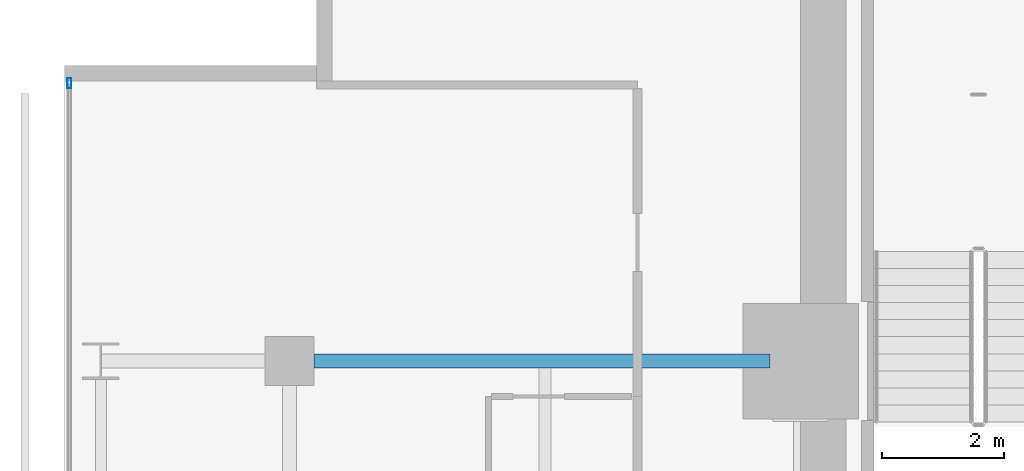
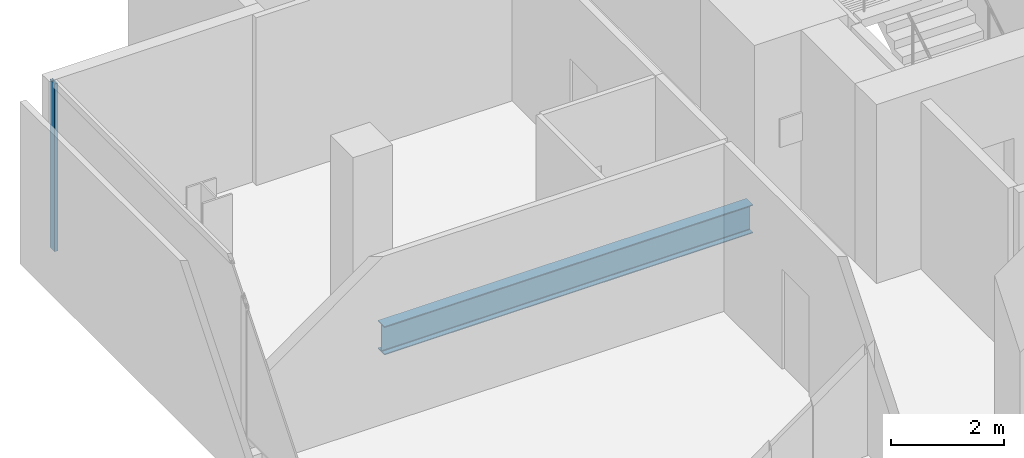
# One storey, part 20 of 33: 1 beam, 1 member, 1 element without a shape of its own.
"""IFC4 building model written with IfcOpenShell, lengths in metres."""

from ifc_helpers import new_model, si_unit, direction, frame, origin, origin_2d, place, context, subcontext, project, spatial, hollow_rectangle, i_section, extrude, material, layer, layer_set, material_profile, profile_set, type_object, element, aggregate, save


model = new_model("IFC4")

# Units and contexts
model_context = context("Model", 3, precision=1e-05, world=origin(), true_north=direction((0.0, 1.0)))
body_context = subcontext(model_context, "Body", "Model", "MODEL_VIEW")
ifc_project = project(units=[si_unit("LENGTHUNIT", "METRE"), si_unit("AREAUNIT", "SQUARE_METRE"), si_unit("VOLUMEUNIT", "CUBIC_METRE"), si_unit("PLANEANGLEUNIT", "RADIAN"), si_unit("MASSUNIT", "GRAM", prefix="KILO")], contexts=[model_context])

# Site, building, storey
site_placement = place(None, origin())
site = spatial("IfcSite", under=ifc_project, at=site_placement, CompositionType="ELEMENT")
building_placement = place(site_placement, origin())
building = spatial("IfcBuilding", under=site, at=building_placement, Name="Maruvema Waterfront Hotel and Observation Tower", CompositionType="ELEMENT")
storey_placement = place(building_placement, frame((0.0, 0.0, 154.35009765625)))
storey = spatial("IfcBuildingStorey", under=building, at=storey_placement, Name="L37", CompositionType="ELEMENT", Elevation=154.35009765625)

# Curtain wall, member
ifc_material_1 = material(Name="Anodised bronze aluminium and solar-control low-E IGU", Category="aluminium")
ifc_layer = layer(ifc_material_1, 0.159912109375, Name="Zone 2 Amber Inner Thermal Curtain Wall System CW-03")
ifc_layer_set = layer_set([ifc_layer], Name="Anodised bronze aluminium and solar-control low-E IGU")
curtain_wall_type = type_object("IfcCurtainWallType", Name="Zone 2 Amber Inner Thermal Curtain Wall System CW-03", PredefinedType="USERDEFINED", material=ifc_layer_set)
curtain_wall_placement = place(storey_placement, origin())
curtain_wall = element("IfcCurtainWall", 1, at=curtain_wall_placement, inside=storey, type_object=curtain_wall_type, Name="L37 Curtain Wall CW-L37-W", ObjectType="UNITISED CURTAIN WALL", PredefinedType="USERDEFINED")
ifc_material_2 = material(Name="Anodised architectural bronze aluminium", Category="aluminium")
ifc_material_profile_1 = material_profile(ifc_material_2, hollow_rectangle(XDim=0.06494140625, YDim=0.1650390625, WallThickness=0.00390625, at=origin_2d()), Name="ALU-M65x165")
ifc_profile_set_1 = profile_set([ifc_material_profile_1], Name="Anodised architectural bronze aluminium")
member_type = type_object("IfcMemberType", Name="Curtain Wall Primary Mullion ALU-M65x165", PredefinedType="MULLION", material=ifc_profile_set_1)
member_placement = place(storey_placement, frame((13.179931640625, 49.570068359375, 0.0), z_axis=(0.0, 0.0, 1.0), x_axis=(1.0, 0.0, 0.0)))
member = element("IfcMember", 2, at=member_placement, type_object=member_type, Name="CW-03 mullion 1", PredefinedType="MULLION", context=body_context, shape_type="SweptSolid", body=[
    extrude(hollow_rectangle(XDim=0.06494140625, YDim=0.1650390625, WallThickness=0.00390625, at=origin_2d()), origin(), (0.0, 0.0, 1.0), 3.60986328125),
])
aggregate(curtain_wall, [member])

# Beam
ifc_material_3 = material(Name="Steel ASTM A572 Grade 50", Category="steel")
ifc_material_profile_2 = material_profile(ifc_material_3, i_section(OverallWidth=0.22900390625, OverallDepth=0.612060546875, WebThickness=0.011962890625, FlangeThickness=0.01953125, FilletRadius=0.01806640625, at=origin_2d()), Name="W610x125.0")
ifc_profile_set_2 = profile_set([ifc_material_profile_2], Name="Steel ASTM A572 Grade 50")
beam_type = type_object("IfcBeamType", Name="Primary Floor Girder W610x125.0", PredefinedType="BEAM", material=ifc_profile_set_2)
beam_placement = place(storey_placement, frame((17.199951171875, 45.0, -0.546142578125), z_axis=(1.0, 0.0, 0.0), x_axis=(0.0, 1.0, 0.0)))
element("IfcBeam", 3, at=beam_placement, inside=storey, type_object=beam_type, Name="L37 Floor Girder EW-31", PredefinedType="BEAM", context=body_context, shape_type="SweptSolid", body=[
    extrude(i_section(OverallWidth=0.22900390625, OverallDepth=0.612060546875, WebThickness=0.011962890625, FlangeThickness=0.01953125, FilletRadius=0.01806640625, at=origin_2d()), origin(), (0.0, 0.0, 1.0), 7.5),
])

save(model, "model.ifc")
